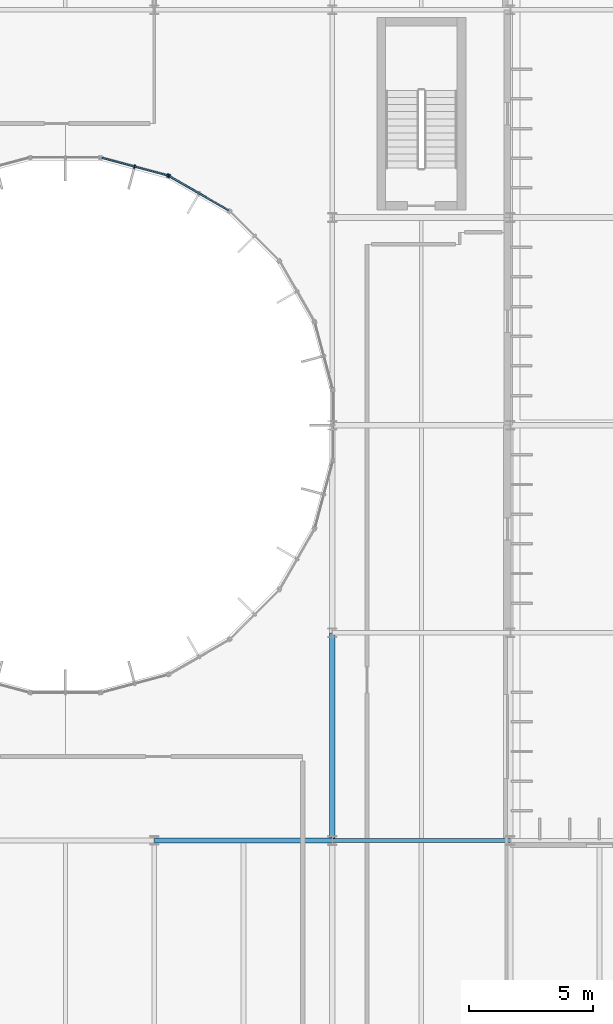
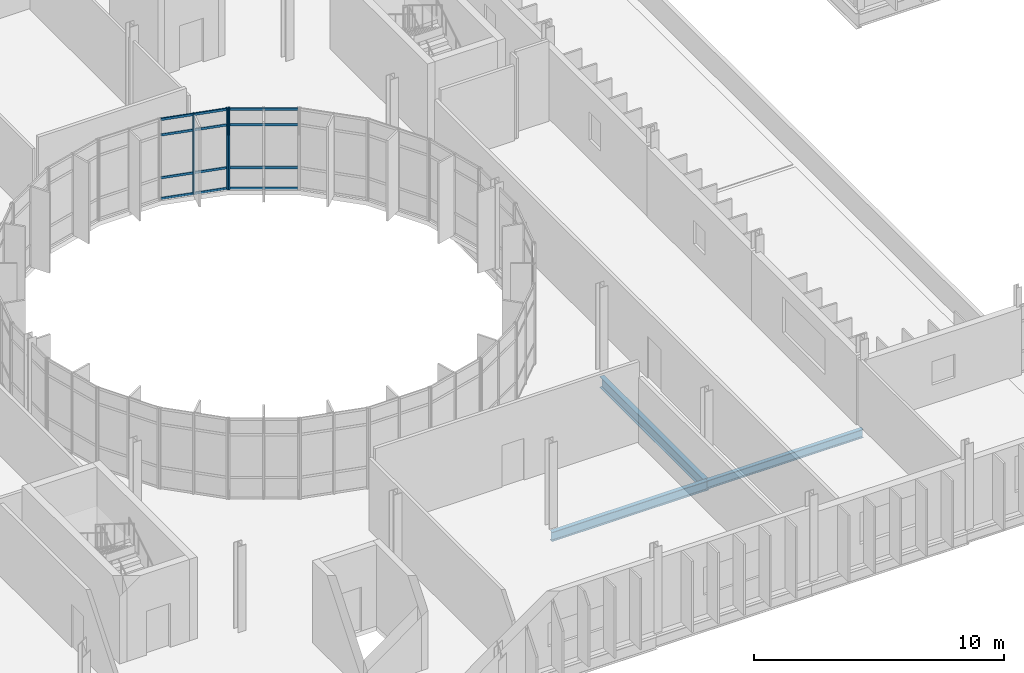
# One storey, part 40 of 99: 11 members, 3 beams, 2 elements without a shape of their own.
"""IFC4 building model written with IfcOpenShell, lengths in metres."""

from ifc_helpers import new_model, si_unit, direction, frame, origin, origin_2d, place, context, subcontext, project, spatial, rectangle, i_section, extrude, material, material_profile, profile_set, type_object, element, aggregate, save


model = new_model("IFC4")

# Units and contexts
model_context = context("Model", 3, precision=1e-05, world=origin(), true_north=direction((0.0, 1.0)))
body_context = subcontext(model_context, "Body", "Model", "MODEL_VIEW")
ifc_project = project(units=[si_unit("LENGTHUNIT", "METRE"), si_unit("AREAUNIT", "SQUARE_METRE"), si_unit("VOLUMEUNIT", "CUBIC_METRE"), si_unit("PLANEANGLEUNIT", "RADIAN"), si_unit("MASSUNIT", "GRAM", prefix="KILO")], contexts=[model_context])

# Site, building, storey
site_placement = place(None, origin())
site = spatial("IfcSite", under=ifc_project, at=site_placement, CompositionType="ELEMENT")
building_placement = place(site_placement, origin())
building = spatial("IfcBuilding", under=site, at=building_placement, Name="Qelthora Terrace Specialist Clinic", CompositionType="ELEMENT")
storey_placement = place(building_placement, frame((0.0, 0.0, 9.0)))
storey = spatial("IfcBuildingStorey", under=building, at=storey_placement, Name="L02", CompositionType="ELEMENT", Elevation=9.0)

# Beams
ifc_material_1 = material(Name="Steel S355", Category="steel")
ifc_material_profile_1 = material_profile(ifc_material_1, i_section(OverallWidth=0.179931640625, OverallDepth=0.4130859375, WebThickness=0.009765625, FlangeThickness=0.01611328125, FilletRadius=0.011962890625, at=origin_2d()), Name="W410X75")
ifc_profile_set_1 = profile_set([ifc_material_profile_1], Name="Steel S355")
beam_type_1 = type_object("IfcBeamType", Name="BM-W410X75", PredefinedType="BEAM", material=ifc_profile_set_1)
beam_1_placement = place(storey_placement, frame((36.0, 67.199951171875, -0.45654296875), z_axis=(1.0, 0.0, 0.0), x_axis=(0.0, 1.0, 0.0)))
element("IfcBeam", 1, at=beam_1_placement, inside=storey, type_object=beam_type_1, Name="Girder BMX-L02-0653", PredefinedType="BEAM", context=body_context, shape_type="SweptSolid", body=[
    extrude(i_section(OverallWidth=0.179931640625, OverallDepth=0.4130859375, WebThickness=0.009765625, FlangeThickness=0.01611328125, FilletRadius=0.011962890625, at=origin_2d()), origin(), (0.0, 0.0, 1.0), 7.199951171875),
])
ifc_material_profile_2 = material_profile(ifc_material_1, i_section(OverallWidth=0.19091796875, OverallDepth=0.4599609375, WebThickness=0.010009765625, FlangeThickness=0.01611328125, FilletRadius=0.012939453125, at=origin_2d()), Name="W460X82")
ifc_profile_set_2 = profile_set([ifc_material_profile_2], Name="Steel S355")
beam_type_2 = type_object("IfcBeamType", Name="BM-W460X82", PredefinedType="BEAM", material=ifc_profile_set_2)
beam_2_placement = place(storey_placement, frame((28.800048828125, 67.199951171875, -0.47998046875), z_axis=(1.0, 0.0, 0.0), x_axis=(0.0, 1.0, 0.0)))
element("IfcBeam", 2, at=beam_2_placement, inside=storey, type_object=beam_type_2, Name="Girder BMX-L02-0652", PredefinedType="BEAM", context=body_context, shape_type="SweptSolid", body=[
    extrude(i_section(OverallWidth=0.19091796875, OverallDepth=0.4599609375, WebThickness=0.010009765625, FlangeThickness=0.01611328125, FilletRadius=0.012939453125, at=origin_2d()), origin(), (0.0, 0.0, 1.0), 7.199951171875),
])
ifc_material_profile_3 = material_profile(ifc_material_1, i_section(OverallWidth=0.2119140625, OverallDepth=0.5439453125, WebThickness=0.01318359375, FlangeThickness=0.021240234375, FilletRadius=0.013916015625, at=origin_2d()), Name="W530X123")
ifc_profile_set_3 = profile_set([ifc_material_profile_3], Name="Steel S355")
beam_type_3 = type_object("IfcBeamType", Name="BM-W530X123", PredefinedType="BEAM", material=ifc_profile_set_3)
beam_3_placement = place(storey_placement, frame((36.0, 67.199951171875, -0.52197265625), z_axis=(0.0, 1.0, 0.0), x_axis=(-1.0, 0.0, 0.0)))
element("IfcBeam", 3, at=beam_3_placement, inside=storey, type_object=beam_type_3, Name="Girder BMY-L02-0785", PredefinedType="BEAM", context=body_context, shape_type="SweptSolid", body=[
    extrude(i_section(OverallWidth=0.2119140625, OverallDepth=0.5439453125, WebThickness=0.01318359375, FlangeThickness=0.021240234375, FilletRadius=0.013916015625, at=origin_2d()), origin(), (0.0, 0.0, 1.0), 8.400146484375),
])

# Curtain wall, member
ifc_material_2 = material(Name="Aluminium anodized bronze", Category="aluminium")
curtain_wall_type = type_object("IfcCurtainWallType", Name="CW-CRTW-UPP", PredefinedType="NOTDEFINED", material=ifc_material_2)
curtain_wall_1_placement = place(storey_placement, origin())
curtain_wall_1 = element("IfcCurtainWall", 4, at=curtain_wall_1_placement, inside=storey, type_object=curtain_wall_type, Name="Curtain wall CW-CW-L02-04", PredefinedType="NOTDEFINED")
ifc_material_profile_4 = material_profile(ifc_material_2, rectangle(XDim=0.06005859375, YDim=0.14990234375, at=origin_2d()), Name="CWM60X150")
ifc_profile_set_4 = profile_set([ifc_material_profile_4], Name="Aluminium anodized bronze")
member_type_1 = type_object("IfcMemberType", Name="CWM-60X150", PredefinedType="MULLION", material=ifc_profile_set_4)
member_1_placement = place(storey_placement, frame((29.410400390625, 94.07177734375, 0.0), z_axis=(0.0, 0.0, 1.0), x_axis=(-0.866025635896, 0.499999597971, 0.0)))
member_1 = element("IfcMember", 5, at=member_1_placement, type_object=member_type_1, Name="CW-CW-L02-04 mullion 3", PredefinedType="MULLION", context=body_context, shape_type="SweptSolid", body=[
    extrude(rectangle(XDim=0.06005859375, YDim=0.14990234375, at=origin_2d()), origin(), (0.0, 0.0, 1.0), 3.945068359375),
])

# Curtain wall, members
curtain_wall_2_placement = place(storey_placement, origin())
curtain_wall_2 = element("IfcCurtainWall", 6, at=curtain_wall_2_placement, inside=storey, type_object=curtain_wall_type, Name="Curtain wall CW-CW-L02-05", PredefinedType="NOTDEFINED")
member_2_placement = place(storey_placement, frame((29.3447265625, 94.098876953125, 0.0), z_axis=(0.0, 0.0, 1.0), x_axis=(-0.96592547477, 0.258820356987, 0.0)))
member_2 = element("IfcMember", 7, at=member_2_placement, type_object=member_type_1, Name="CW-CW-L02-05 mullion 1", PredefinedType="MULLION", context=body_context, shape_type="SweptSolid", body=[
    extrude(rectangle(XDim=0.06005859375, YDim=0.14990234375, at=origin_2d()), origin(), (0.0, 0.0, 1.0), 3.945068359375),
])
member_3_placement = place(storey_placement, frame((28.00244140625, 94.458740234375, 0.0), z_axis=(0.0, 0.0, 1.0), x_axis=(-0.96592547477, 0.258820356987, 0.0)))
member_3 = element("IfcMember", 8, at=member_3_placement, type_object=member_type_1, Name="CW-CW-L02-05 mullion 2", PredefinedType="MULLION", context=body_context, shape_type="SweptSolid", body=[
    extrude(rectangle(XDim=0.06005859375, YDim=0.14990234375, at=origin_2d()), origin(), (0.0, 0.0, 1.0), 3.945068359375),
])

# Member
ifc_material_profile_5 = material_profile(ifc_material_2, rectangle(XDim=0.06005859375, YDim=0.110107421875, at=origin_2d()), Name="CWT60X110")
ifc_profile_set_5 = profile_set([ifc_material_profile_5], Name="Aluminium anodized bronze")
member_type_2 = type_object("IfcMemberType", Name="CWT-60X110", PredefinedType="USERDEFINED", material=ifc_profile_set_5)
member_4_placement = place(storey_placement, frame((31.800048828125, 92.692138671875, 0.0400390625), z_axis=(-0.866029747927, 0.499992475648, 0.0), x_axis=(-0.499992475648, -0.866029747927, 0.0)))
member_4 = element("IfcMember", 9, at=member_4_placement, type_object=member_type_2, Name="CW-CW-L02-04 transom 1", ObjectType="TRANSOM", PredefinedType="USERDEFINED", context=body_context, shape_type="SweptSolid", body=[
    extrude(rectangle(XDim=0.06005859375, YDim=0.110107421875, at=origin_2d()), origin(), (0.0, 0.0, 1.0), 2.7392578125),
])

member_5_placement = place(storey_placement, frame((31.800048828125, 92.692138671875, 1.050048828125), z_axis=(-0.866029747927, 0.499992475648, 0.0), x_axis=(-0.499992475648, -0.866029747927, 0.0)))
member_5 = element("IfcMember", 10, at=member_5_placement, type_object=member_type_2, Name="CW-CW-L02-04 transom 2", ObjectType="TRANSOM", PredefinedType="USERDEFINED", context=body_context, shape_type="SweptSolid", body=[
    extrude(rectangle(XDim=0.06005859375, YDim=0.110107421875, at=origin_2d()), origin(), (0.0, 0.0, 1.0), 2.7392578125),
])

member_6_placement = place(storey_placement, frame((31.800048828125, 92.692138671875, 3.14501953125), z_axis=(-0.866029747927, 0.499992475648, 0.0), x_axis=(-0.499992475648, -0.866029747927, 0.0)))
member_6 = element("IfcMember", 11, at=member_6_placement, type_object=member_type_2, Name="CW-CW-L02-04 transom 3", ObjectType="TRANSOM", PredefinedType="USERDEFINED", context=body_context, shape_type="SweptSolid", body=[
    extrude(rectangle(XDim=0.06005859375, YDim=0.110107421875, at=origin_2d()), origin(), (0.0, 0.0, 1.0), 2.7392578125),
])

member_7_placement = place(storey_placement, frame((31.800048828125, 92.692138671875, 3.905029296875), z_axis=(-0.866029747927, 0.499992475648, 0.0), x_axis=(-0.499992475648, -0.866029747927, 0.0)))
member_7 = element("IfcMember", 12, at=member_7_placement, type_object=member_type_2, Name="CW-CW-L02-04 transom 4", ObjectType="TRANSOM", PredefinedType="USERDEFINED", context=body_context, shape_type="SweptSolid", body=[
    extrude(rectangle(XDim=0.06005859375, YDim=0.110107421875, at=origin_2d()), origin(), (0.0, 0.0, 1.0), 2.7392578125),
])

aggregate(curtain_wall_1, [member_1, member_4, member_5, member_6, member_7])

member_8_placement = place(storey_placement, frame((29.325439453125, 94.104248046875, 0.0400390625), z_axis=(-0.965926569303, 0.258816272122, 0.0), x_axis=(-0.258816272122, -0.965926569303, 0.0)))
member_8 = element("IfcMember", 13, at=member_8_placement, type_object=member_type_2, Name="CW-CW-L02-05 transom 1", ObjectType="TRANSOM", PredefinedType="USERDEFINED", context=body_context, shape_type="SweptSolid", body=[
    extrude(rectangle(XDim=0.06005859375, YDim=0.110107421875, at=origin_2d()), origin(), (0.0, 0.0, 1.0), 2.7392578125),
])

member_9_placement = place(storey_placement, frame((29.325439453125, 94.104248046875, 1.050048828125), z_axis=(-0.965926569303, 0.258816272122, 0.0), x_axis=(-0.258816272122, -0.965926569303, 0.0)))
member_9 = element("IfcMember", 14, at=member_9_placement, type_object=member_type_2, Name="CW-CW-L02-05 transom 2", ObjectType="TRANSOM", PredefinedType="USERDEFINED", context=body_context, shape_type="SweptSolid", body=[
    extrude(rectangle(XDim=0.06005859375, YDim=0.110107421875, at=origin_2d()), origin(), (0.0, 0.0, 1.0), 2.7392578125),
])

member_10_placement = place(storey_placement, frame((29.325439453125, 94.104248046875, 3.14501953125), z_axis=(-0.965926569303, 0.258816272122, 0.0), x_axis=(-0.258816272122, -0.965926569303, 0.0)))
member_10 = element("IfcMember", 15, at=member_10_placement, type_object=member_type_2, Name="CW-CW-L02-05 transom 3", ObjectType="TRANSOM", PredefinedType="USERDEFINED", context=body_context, shape_type="SweptSolid", body=[
    extrude(rectangle(XDim=0.06005859375, YDim=0.110107421875, at=origin_2d()), origin(), (0.0, 0.0, 1.0), 2.7392578125),
])

member_11_placement = place(storey_placement, frame((29.325439453125, 94.104248046875, 3.905029296875), z_axis=(-0.965926569303, 0.258816272122, 0.0), x_axis=(-0.258816272122, -0.965926569303, 0.0)))
member_11 = element("IfcMember", 16, at=member_11_placement, type_object=member_type_2, Name="CW-CW-L02-05 transom 4", ObjectType="TRANSOM", PredefinedType="USERDEFINED", context=body_context, shape_type="SweptSolid", body=[
    extrude(rectangle(XDim=0.06005859375, YDim=0.110107421875, at=origin_2d()), origin(), (0.0, 0.0, 1.0), 2.7392578125),
])

aggregate(curtain_wall_2, [member_2, member_3, member_8, member_9, member_10, member_11])

save(model, "model.ifc")
